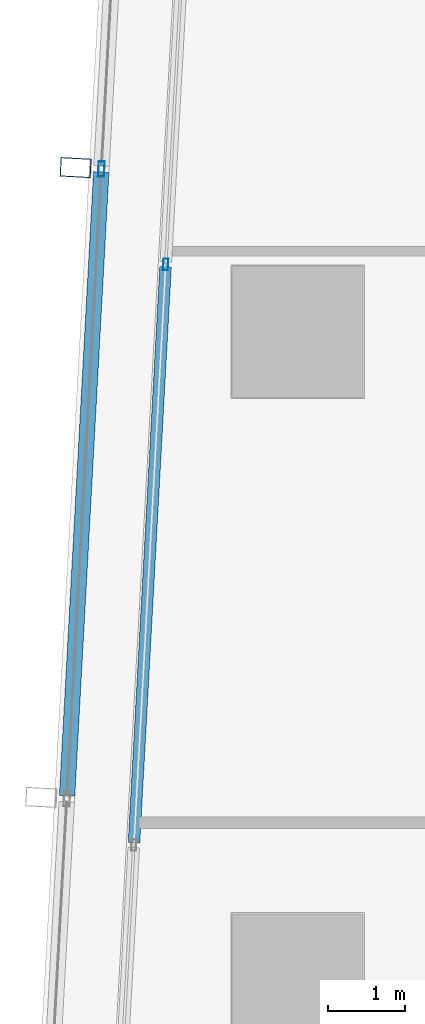
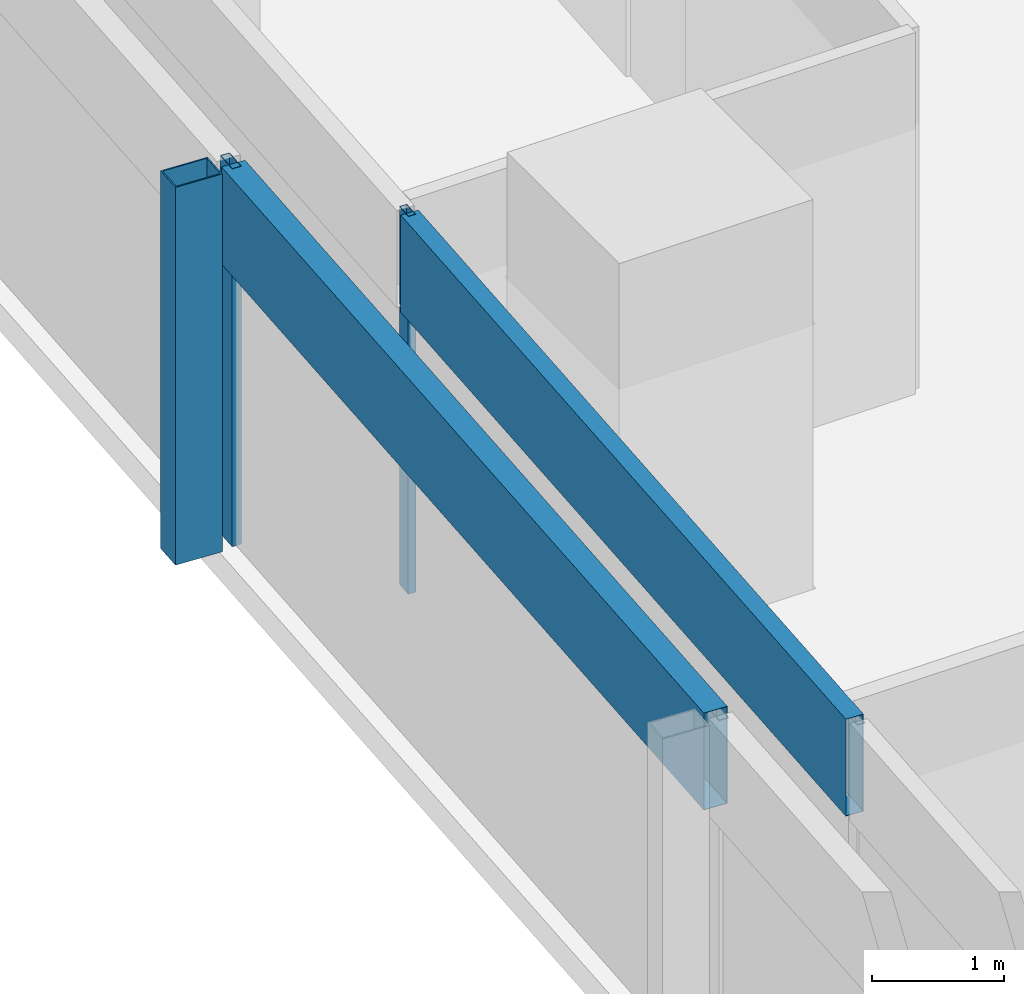
# One storey, part 8 of 40: 5 members, 2 elements without a shape of their own.
"""IFC4 building model written with IfcOpenShell, lengths in metres."""

from ifc_helpers import new_model, si_unit, direction, frame, origin, origin_2d, place, context, subcontext, project, spatial, hollow_rectangle, extrude, material, material_profile, profile_set, type_object, element, aggregate, save


model = new_model("IFC4")

# Units and contexts
model_context = context("Model", 3, precision=1e-05, world=origin(), true_north=direction((0.0, 1.0)))
body_context = subcontext(model_context, "Body", "Model", "MODEL_VIEW")
ifc_project = project(units=[si_unit("LENGTHUNIT", "METRE"), si_unit("AREAUNIT", "SQUARE_METRE"), si_unit("VOLUMEUNIT", "CUBIC_METRE"), si_unit("PLANEANGLEUNIT", "RADIAN"), si_unit("MASSUNIT", "GRAM", prefix="KILO")], contexts=[model_context])

# Site, building, storey
site_placement = place(None, origin())
site = spatial("IfcSite", under=ifc_project, at=site_placement, CompositionType="ELEMENT")
building_placement = place(site_placement, origin())
building = spatial("IfcBuilding", under=site, at=building_placement, Name="Rekha Terrace Tower", CompositionType="ELEMENT")
storey_placement = place(building_placement, frame((0.0, 0.0, 110.300048828125)))
storey = spatial("IfcBuildingStorey", under=building, at=storey_placement, Name="L27", CompositionType="ELEMENT", Elevation=110.300048828125)

# Curtain wall, member
ifc_material_1 = material(Name="Aluminium framing", Category="aluminium")
curtain_wall_type_1 = type_object("IfcCurtainWallType", Name="CW2 double skin outer glazing", PredefinedType="USERDEFINED", material=ifc_material_1)
curtain_wall_1_placement = place(storey_placement, origin())
curtain_wall_1 = element("IfcCurtainWall", 1, at=curtain_wall_1_placement, inside=storey, type_object=curtain_wall_type_1, Name="CW2 double skin outer glazing", ObjectType="DOUBLE SKIN OUTER GLAZING", PredefinedType="USERDEFINED")
ifc_material_2 = material(Name="Steel S355 with fluorocarbon finish", Category="steel")
ifc_material_profile_1 = material_profile(ifc_material_2, hollow_rectangle(XDim=0.25, YDim=0.39990234375, WallThickness=0.012451171875, at=origin_2d()), Name="RHS400x250x12.5")
ifc_profile_set_1 = profile_set([ifc_material_profile_1], Name="Steel S355 with fluorocarbon finish")
member_type_1 = type_object("IfcMemberType", Name="BL1 facade blade RHS 400 x 250", PredefinedType="USERDEFINED", material=ifc_profile_set_1)
member_1_placement = place(storey_placement, frame((5.521728515625, 44.128662109375, 0.0), z_axis=(0.0, 0.0, 1.0), x_axis=(-0.054742798353, -0.998500488747, 0.0)))
member_1 = element("IfcMember", 2, at=member_1_placement, type_object=member_type_1, Name="Facade blade", ObjectType="FACADE BLADE", PredefinedType="USERDEFINED", context=body_context, shape_type="SweptSolid", body=[
    extrude(hollow_rectangle(XDim=0.25, YDim=0.39990234375, WallThickness=0.012451171875, at=origin_2d()), origin(), (0.0, 0.0, 1.0), 3.5),
])

# Curtain wall, members
curtain_wall_type_2 = type_object("IfcCurtainWallType", Name="CW1 double skin inner glazing", PredefinedType="USERDEFINED", material=ifc_material_1)
curtain_wall_2_placement = place(storey_placement, origin())
curtain_wall_2 = element("IfcCurtainWall", 3, at=curtain_wall_2_placement, inside=storey, type_object=curtain_wall_type_2, Name="CW1 double skin inner glazing", ObjectType="DOUBLE SKIN INNER GLAZING", PredefinedType="USERDEFINED")
ifc_material_3 = material(Name="Aluminium mullion section", Category="aluminium")
ifc_material_profile_2 = material_profile(ifc_material_3, hollow_rectangle(XDim=0.06494140625, YDim=0.14990234375, WallThickness=0.00390625, at=origin_2d()), Name="AL RHS 65x150")
ifc_profile_set_2 = profile_set([ifc_material_profile_2], Name="Aluminium mullion section")
member_type_2 = type_object("IfcMemberType", Name="CW1 mullion RHS 65 x 150", PredefinedType="MULLION", material=ifc_profile_set_2)
member_2_placement = place(storey_placement, frame((6.689697265625, 42.87255859375, 0.0), z_axis=(0.0, 0.0, 1.0), x_axis=(0.99850051318, -0.054742352707, 0.0)))
member_2 = element("IfcMember", 4, at=member_2_placement, type_object=member_type_2, Name="CW1 mullion 3", PredefinedType="MULLION", context=body_context, shape_type="SweptSolid", body=[
    extrude(hollow_rectangle(XDim=0.06494140625, YDim=0.14990234375, WallThickness=0.00390625, at=origin_2d()), origin(), (0.0, 0.0, 1.0), 3.5),
])
ifc_material_4 = material(Name="Insulated aluminium spandrel box", Category="aluminium")
ifc_material_profile_3 = material_profile(ifc_material_4, hollow_rectangle(XDim=0.14990234375, YDim=0.89990234375, WallThickness=0.0029296875, at=origin_2d()), Name="AL SPANDREL BOX 150x900")
ifc_profile_set_3 = profile_set([ifc_material_profile_3], Name="Insulated aluminium spandrel box")
member_type_3 = type_object("IfcMemberType", Name="CW1 spandrel transom 150 x 900", PredefinedType="USERDEFINED", material=ifc_profile_set_3)
member_3_placement = place(storey_placement, frame((6.68798828125, 42.840087890625, 3.050048828125), z_axis=(-0.054766415299, -0.998499193668, 0.0), x_axis=(0.998499193668, -0.054766415299, 0.0)))
member_3 = element("IfcMember", 5, at=member_3_placement, type_object=member_type_3, Name="CW1 spandrel transom 3", ObjectType="TRANSOM", PredefinedType="USERDEFINED", context=body_context, shape_type="SweptSolid", body=[
    extrude(hollow_rectangle(XDim=0.14990234375, YDim=0.89990234375, WallThickness=0.0029296875, at=origin_2d()), origin(), (0.0, 0.0, 1.0), 7.475830078125),
])
aggregate(curtain_wall_2, [member_2, member_3])

# Member
ifc_material_profile_4 = material_profile(ifc_material_3, hollow_rectangle(XDim=0.080078125, YDim=0.199951171875, WallThickness=0.00390625, at=origin_2d()), Name="AL RHS 80x200")
ifc_profile_set_4 = profile_set([ifc_material_profile_4], Name="Aluminium mullion section")
member_type_4 = type_object("IfcMemberType", Name="CW2 mullion RHS 80 x 200", PredefinedType="MULLION", material=ifc_profile_set_4)
member_4_placement = place(storey_placement, frame((5.856201171875, 44.1103515625, 0.0), z_axis=(0.0, 0.0, 1.0), x_axis=(0.99850051318, -0.054742352707, 0.0)))
member_4 = element("IfcMember", 6, at=member_4_placement, type_object=member_type_4, Name="CW2 mullion 3", PredefinedType="MULLION", context=body_context, shape_type="SweptSolid", body=[
    extrude(hollow_rectangle(XDim=0.080078125, YDim=0.199951171875, WallThickness=0.00390625, at=origin_2d()), origin(), (0.0, 0.0, 1.0), 3.5),
])

ifc_material_profile_5 = material_profile(ifc_material_4, hollow_rectangle(XDim=0.199951171875, YDim=0.89990234375, WallThickness=0.0029296875, at=origin_2d()), Name="AL SPANDREL BOX 200x900")
ifc_profile_set_5 = profile_set([ifc_material_profile_5], Name="Insulated aluminium spandrel box")
member_type_5 = type_object("IfcMemberType", Name="CW2 spandrel transom 200 x 900", PredefinedType="USERDEFINED", material=ifc_profile_set_5)
member_5_placement = place(storey_placement, frame((5.85400390625, 44.070556640625, 3.050048828125), z_axis=(-0.054735499102, -0.998500888902, 0.0), x_axis=(0.998500888902, -0.054735499102, 0.0)))
member_5 = element("IfcMember", 7, at=member_5_placement, type_object=member_type_5, Name="CW2 spandrel transom 3", ObjectType="TRANSOM", PredefinedType="USERDEFINED", context=body_context, shape_type="SweptSolid", body=[
    extrude(hollow_rectangle(XDim=0.199951171875, YDim=0.89990234375, WallThickness=0.0029296875, at=origin_2d()), origin(), (0.0, 0.0, 1.0), 8.10009765625),
])

aggregate(curtain_wall_1, [member_4, member_5, member_1])

save(model, "model.ifc")
